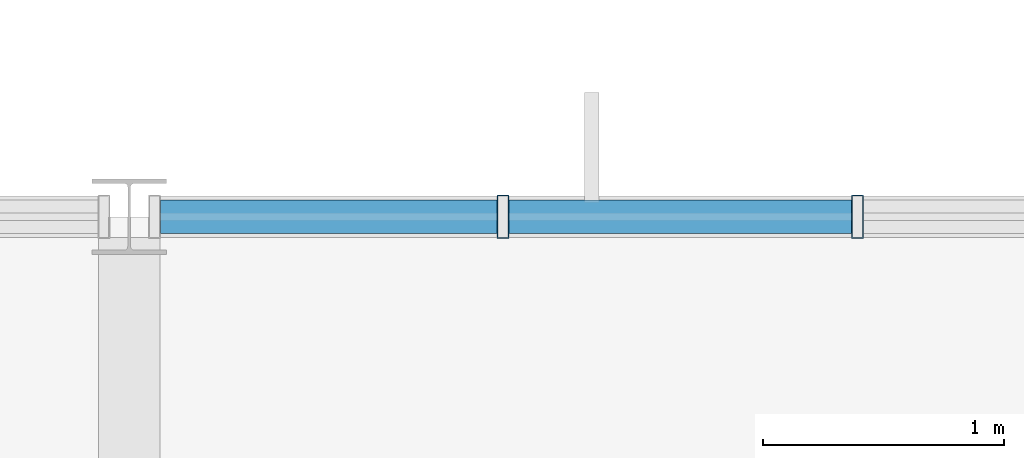
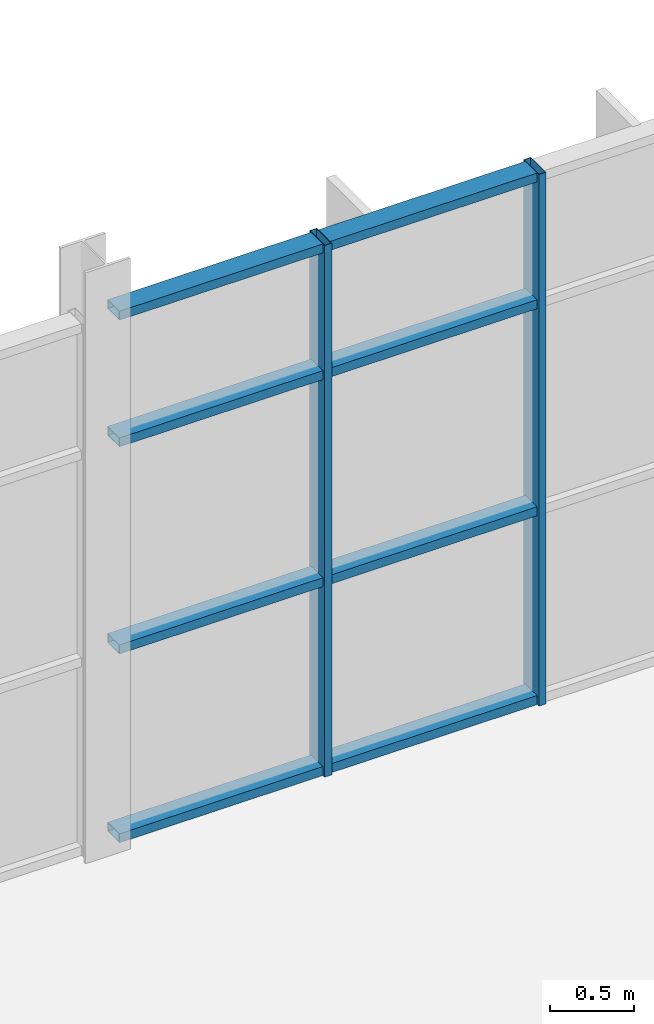
# One storey, part 33 of 324: 10 members, 1 element without a shape of its own.
"""IFC4 building model written with IfcOpenShell, lengths in metres."""

from ifc_helpers import new_model, si_unit, direction, frame, origin, origin_2d, place, context, subcontext, project, spatial, hollow_rectangle, extrude, material, layer, layer_set, material_profile, profile_set, type_object, element, aggregate, save


model = new_model("IFC4")

# Units and contexts
model_context = context("Model", 3, precision=1e-05, world=origin(), true_north=direction((0.0, 1.0)))
body_context = subcontext(model_context, "Body", "Model", "MODEL_VIEW")
ifc_project = project(units=[si_unit("LENGTHUNIT", "METRE"), si_unit("AREAUNIT", "SQUARE_METRE"), si_unit("VOLUMEUNIT", "CUBIC_METRE"), si_unit("PLANEANGLEUNIT", "RADIAN"), si_unit("MASSUNIT", "GRAM", prefix="KILO")], contexts=[model_context])

# Site, building, storey
site_placement = place(None, origin())
site = spatial("IfcSite", under=ifc_project, at=site_placement, CompositionType="ELEMENT")
building_placement = place(site_placement, origin())
building = spatial("IfcBuilding", under=site, at=building_placement, Name="Solvenia Promenade Tram Depot", CompositionType="ELEMENT")
storey_placement = place(building_placement, frame((0.0, 0.0, 4.5)))
storey = spatial("IfcBuildingStorey", under=building, at=storey_placement, Name="L01", CompositionType="ELEMENT", Elevation=4.5)

# Curtain wall, members
ifc_material = material(Name="Anodized aluminium AW-6063 T6", Category="aluminium")
ifc_layer = layer(ifc_material, 0.14990234375, Name="Anodized aluminium AW-6063 T6", Category="aluminium")
ifc_layer_set = layer_set([ifc_layer], Name="Anodized aluminium AW-6063 T6")
curtain_wall_type = type_object("IfcCurtainWallType", Name="CW-Court-1500", PredefinedType="NOTDEFINED", material=ifc_layer_set)
curtain_wall_placement = place(storey_placement, origin())
curtain_wall = element("IfcCurtainWall", 1, at=curtain_wall_placement, inside=storey, type_object=curtain_wall_type, Name="Curtain Wall CW-V4N-L01-09", PredefinedType="NOTDEFINED")
ifc_material_profile_1 = material_profile(ifc_material, hollow_rectangle(XDim=0.179931640625, YDim=0.050048828125, WallThickness=0.00390625, at=origin_2d()), Name="ALU-M2", Category="aluminium")
ifc_profile_set_1 = profile_set([ifc_material_profile_1], Name="Anodized aluminium AW-6063 T6")
member_type_1 = type_object("IfcMemberType", Name="CWM-Mullion-2", PredefinedType="MULLION", material=ifc_profile_set_1)
member_1_placement = place(storey_placement, frame((61.548095703125, 24.0, 0.0), z_axis=(0.0, 0.0, 1.0), x_axis=(0.0, 1.0, 0.0)))
member_1 = element("IfcMember", 2, at=member_1_placement, type_object=member_type_1, Name="CW-5 mullion 2", PredefinedType="MULLION", context=body_context, shape_type="SweptSolid", body=[
    extrude(hollow_rectangle(XDim=0.179931640625, YDim=0.050048828125, WallThickness=0.00390625, at=origin_2d()), origin(), (0.0, 0.0, 1.0), 3.85009765625),
])
member_2_placement = place(storey_placement, frame((63.01611328125, 24.0, 0.0), z_axis=(0.0, 0.0, 1.0), x_axis=(0.0, 1.0, 0.0)))
member_2 = element("IfcMember", 3, at=member_2_placement, type_object=member_type_1, Name="CW-5 mullion 3", PredefinedType="MULLION", context=body_context, shape_type="SweptSolid", body=[
    extrude(hollow_rectangle(XDim=0.179931640625, YDim=0.050048828125, WallThickness=0.00390625, at=origin_2d()), origin(), (0.0, 0.0, 1.0), 3.85009765625),
])
ifc_material_profile_2 = material_profile(ifc_material, hollow_rectangle(XDim=0.139892578125, YDim=0.06494140625, WallThickness=0.00390625, at=origin_2d()), Name="ALU-T2", Category="aluminium")
ifc_profile_set_2 = profile_set([ifc_material_profile_2], Name="Anodized aluminium AW-6063 T6")
member_type_2 = type_object("IfcMemberType", Name="CWT-Transom-2", PredefinedType="USERDEFINED", material=ifc_profile_set_2)
member_3_placement = place(storey_placement, frame((60.1298828125, 24.0, 0.032470703125), z_axis=(1.0, 0.0, 0.0), x_axis=(0.0, 1.0, 0.0)))
member_3 = element("IfcMember", 4, at=member_3_placement, type_object=member_type_2, Name="CW-5 transom 1.1", ObjectType="TRANSOM", PredefinedType="USERDEFINED", context=body_context, shape_type="SweptSolid", body=[
    extrude(hollow_rectangle(XDim=0.139892578125, YDim=0.06494140625, WallThickness=0.00390625, at=origin_2d()), origin(), (0.0, 0.0, 1.0), 1.39306640625),
])
member_4_placement = place(storey_placement, frame((60.1298828125, 24.0, 1.39990234375), z_axis=(1.0, 0.0, 0.0), x_axis=(0.0, 1.0, 0.0)))
member_4 = element("IfcMember", 5, at=member_4_placement, type_object=member_type_2, Name="CW-5 transom 1.2", ObjectType="TRANSOM", PredefinedType="USERDEFINED", context=body_context, shape_type="SweptSolid", body=[
    extrude(hollow_rectangle(XDim=0.139892578125, YDim=0.06494140625, WallThickness=0.00390625, at=origin_2d()), origin(), (0.0, 0.0, 1.0), 1.39306640625),
])
member_5_placement = place(storey_placement, frame((60.1298828125, 24.0, 2.89990234375), z_axis=(1.0, 0.0, 0.0), x_axis=(0.0, 1.0, 0.0)))
member_5 = element("IfcMember", 6, at=member_5_placement, type_object=member_type_2, Name="CW-5 transom 1.3", ObjectType="TRANSOM", PredefinedType="USERDEFINED", context=body_context, shape_type="SweptSolid", body=[
    extrude(hollow_rectangle(XDim=0.139892578125, YDim=0.06494140625, WallThickness=0.00390625, at=origin_2d()), origin(), (0.0, 0.0, 1.0), 1.39306640625),
])
member_6_placement = place(storey_placement, frame((60.1298828125, 24.0, 3.8173828125), z_axis=(1.0, 0.0, 0.0), x_axis=(0.0, 1.0, 0.0)))
member_6 = element("IfcMember", 7, at=member_6_placement, type_object=member_type_2, Name="CW-5 transom 1.4", ObjectType="TRANSOM", PredefinedType="USERDEFINED", context=body_context, shape_type="SweptSolid", body=[
    extrude(hollow_rectangle(XDim=0.139892578125, YDim=0.06494140625, WallThickness=0.00390625, at=origin_2d()), origin(), (0.0, 0.0, 1.0), 1.39306640625),
])
member_7_placement = place(storey_placement, frame((61.572998046875, 24.0, 0.032470703125), z_axis=(1.0, 0.0, 0.0), x_axis=(0.0, 1.0, 0.0)))
member_7 = element("IfcMember", 8, at=member_7_placement, type_object=member_type_2, Name="CW-5 transom 2.1", ObjectType="TRANSOM", PredefinedType="USERDEFINED", context=body_context, shape_type="SweptSolid", body=[
    extrude(hollow_rectangle(XDim=0.139892578125, YDim=0.06494140625, WallThickness=0.00390625, at=origin_2d()), origin(), (0.0, 0.0, 1.0), 1.41796875),
])
member_8_placement = place(storey_placement, frame((61.572998046875, 24.0, 1.39990234375), z_axis=(1.0, 0.0, 0.0), x_axis=(0.0, 1.0, 0.0)))
member_8 = element("IfcMember", 9, at=member_8_placement, type_object=member_type_2, Name="CW-5 transom 2.2", ObjectType="TRANSOM", PredefinedType="USERDEFINED", context=body_context, shape_type="SweptSolid", body=[
    extrude(hollow_rectangle(XDim=0.139892578125, YDim=0.06494140625, WallThickness=0.00390625, at=origin_2d()), origin(), (0.0, 0.0, 1.0), 1.41796875),
])
member_9_placement = place(storey_placement, frame((61.572998046875, 24.0, 2.89990234375), z_axis=(1.0, 0.0, 0.0), x_axis=(0.0, 1.0, 0.0)))
member_9 = element("IfcMember", 10, at=member_9_placement, type_object=member_type_2, Name="CW-5 transom 2.3", ObjectType="TRANSOM", PredefinedType="USERDEFINED", context=body_context, shape_type="SweptSolid", body=[
    extrude(hollow_rectangle(XDim=0.139892578125, YDim=0.06494140625, WallThickness=0.00390625, at=origin_2d()), origin(), (0.0, 0.0, 1.0), 1.41796875),
])
member_10_placement = place(storey_placement, frame((61.572998046875, 24.0, 3.8173828125), z_axis=(1.0, 0.0, 0.0), x_axis=(0.0, 1.0, 0.0)))
member_10 = element("IfcMember", 11, at=member_10_placement, type_object=member_type_2, Name="CW-5 transom 2.4", ObjectType="TRANSOM", PredefinedType="USERDEFINED", context=body_context, shape_type="SweptSolid", body=[
    extrude(hollow_rectangle(XDim=0.139892578125, YDim=0.06494140625, WallThickness=0.00390625, at=origin_2d()), origin(), (0.0, 0.0, 1.0), 1.41796875),
])
aggregate(curtain_wall, [member_1, member_2, member_3, member_4, member_5, member_6, member_7, member_8, member_9, member_10])

save(model, "model.ifc")
